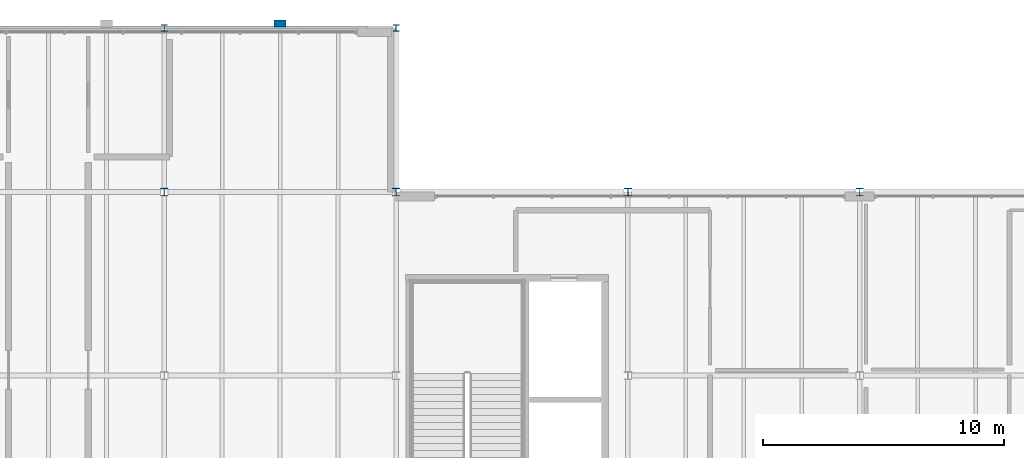
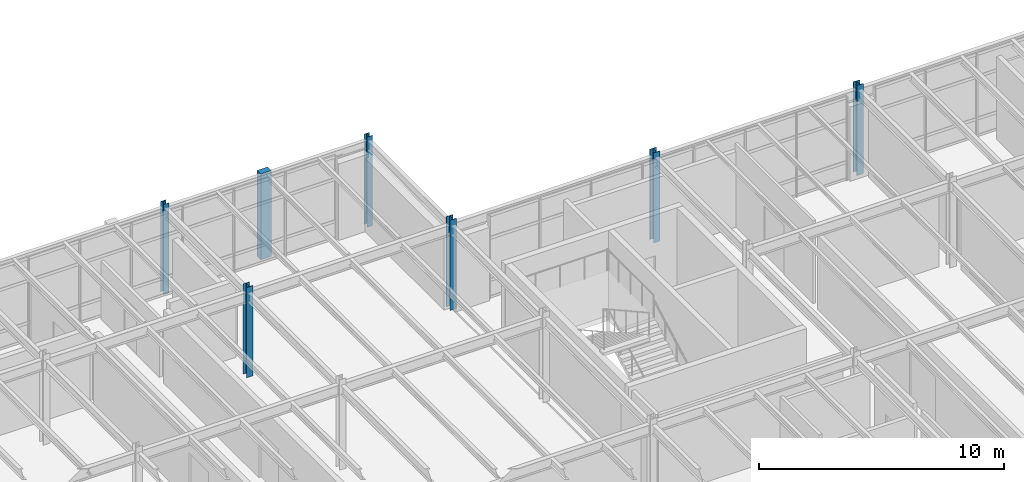
# One storey, part 13 of 69: 7 columns.
"""IFC4 building model written with IfcOpenShell, lengths in metres."""

from ifc_helpers import new_model, si_unit, direction, frame, origin, origin_2d, place, context, subcontext, project, spatial, rectangle, i_section, extrude, material, material_profile, profile_set, type_object, element, save


model = new_model("IFC4")

# Units and contexts
model_context = context("Model", 3, precision=1e-05, world=origin(), true_north=direction((0.0, 1.0)))
body_context = subcontext(model_context, "Body", "Model", "MODEL_VIEW")
ifc_project = project(units=[si_unit("LENGTHUNIT", "METRE"), si_unit("AREAUNIT", "SQUARE_METRE"), si_unit("VOLUMEUNIT", "CUBIC_METRE"), si_unit("PLANEANGLEUNIT", "RADIAN"), si_unit("MASSUNIT", "GRAM", prefix="KILO")], contexts=[model_context])

# Site, building, storey
site_placement = place(None, origin())
site = spatial("IfcSite", under=ifc_project, at=site_placement, CompositionType="ELEMENT")
building_placement = place(site_placement, origin())
building = spatial("IfcBuilding", under=site, at=building_placement, Name="Sarnbrook Museum", CompositionType="ELEMENT")
storey_placement = place(building_placement, frame((0.0, 0.0, 14.60009765625)))
storey = spatial("IfcBuildingStorey", under=building, at=storey_placement, Name="L03", CompositionType="ELEMENT", Elevation=14.60009765625)

# Columns
ifc_material_1 = material(Name="Structural Steel Grade 300PLUS (AS/NZS 3679.1, fy = 280 MPa for 17 < t <= 40 mm, 300 MPa for t <= 17 mm)", Category="steel")
ifc_material_profile_1 = material_profile(ifc_material_1, i_section(OverallWidth=0.25390625, OverallDepth=0.25390625, WebThickness=0.008544921875, FlangeThickness=0.01416015625, FilletRadius=0.0126953125, at=origin_2d()), Name="250UC72.9")
ifc_profile_set_1 = profile_set([ifc_material_profile_1], Name="Structural Steel Grade 300PLUS (AS/NZS 3679.1, fy = 280 MPa for 17 < t <= 40 mm, 300 MPa for t <= 17 mm)")
column_type_1 = type_object("IfcColumnType", Name="COL-UC250", PredefinedType="COLUMN", material=ifc_profile_set_1)
for number, where, z_axis, x_axis, name in (
    (1, (71.199951171875, 115.199951171875, 0.0), (0.0, 0.0, 1.0), (1.0, 0.0, 0.0), "Column 8-P L03"),
    (2, (80.800048828125, 115.199951171875, 0.0), (0.0, 0.0, 1.0), (1.0, 0.0, 0.0), "Column 9-P L03"),
):
    element("IfcColumn", number, at=place(storey_placement, frame(where, z_axis=z_axis, x_axis=x_axis)), inside=storey, type_object=column_type_1, Name=name, PredefinedType="COLUMN", context=body_context, shape_type="SweptSolid", body=[
        extrude(i_section(OverallWidth=0.25390625, OverallDepth=0.25390625, WebThickness=0.008544921875, FlangeThickness=0.01416015625, FilletRadius=0.0126953125, at=origin_2d()), origin(), (0.0, 0.0, 1.0), 4.5),
    ])
ifc_material_profile_2 = material_profile(ifc_material_1, i_section(OverallWidth=0.306884765625, OverallDepth=0.31494140625, WebThickness=0.011962890625, FlangeThickness=0.018798828125, FilletRadius=0.0166015625, at=origin_2d()), Name="310UC118")
ifc_profile_set_2 = profile_set([ifc_material_profile_2], Name="Structural Steel Grade 300PLUS (AS/NZS 3679.1, fy = 280 MPa for 17 < t <= 40 mm, 300 MPa for t <= 17 mm)")
column_type_2 = type_object("IfcColumnType", Name="COL-UC310", PredefinedType="COLUMN", material=ifc_profile_set_2)
for number, where, z_axis, x_axis, name in (
    (3, (90.39990234375, 108.39990234375, 0.0), (0.0, 0.0, 1.0), (1.0, 0.0, 0.0), "Column 10-N L03"),
    (4, (100.0, 108.39990234375, 0.0), (0.0, 0.0, 1.0), (1.0, 0.0, 0.0), "Column 11-N L03"),
    (5, (71.199951171875, 108.39990234375, 0.0), (0.0, 0.0, 1.0), (1.0, 0.0, 0.0), "Column 8-N L03"),
    (6, (80.800048828125, 108.39990234375, 0.0), (0.0, 0.0, 1.0), (1.0, 0.0, 0.0), "Column 9-N L03"),
):
    element("IfcColumn", number, at=place(storey_placement, frame(where, z_axis=z_axis, x_axis=x_axis)), inside=storey, type_object=column_type_2, Name=name, PredefinedType="COLUMN", context=body_context, shape_type="SweptSolid", body=[
        extrude(i_section(OverallWidth=0.306884765625, OverallDepth=0.31494140625, WebThickness=0.011962890625, FlangeThickness=0.018798828125, FilletRadius=0.0166015625, at=origin_2d()), origin(), (0.0, 0.0, 1.0), 4.5),
    ])
ifc_material_2 = material(Name="Concrete N40 (AS 3600, f'c = 40 MPa)", Category="concrete")
ifc_material_profile_3 = material_profile(ifc_material_2, rectangle(XDim=0.5, YDim=0.300048828125, at=origin_2d()), Name="PILASTER 500x300")
ifc_profile_set_3 = profile_set([ifc_material_profile_3], Name="Concrete N40 (AS 3600, f'c = 40 MPa)")
column_type_3 = type_object("IfcColumnType", Name="PIL-500x300", PredefinedType="PILASTER", material=ifc_profile_set_3)
column_placement = place(storey_placement, frame((76.0, 115.3798828125, 0.0), z_axis=(0.0, 0.0, 1.0), x_axis=(1.0, 0.0, 0.0)))
element("IfcColumn", 7, at=column_placement, inside=storey, type_object=column_type_3, Name="Sandstone Classical Pilaster P-N3 L03", PredefinedType="PILASTER", context=body_context, shape_type="SweptSolid", body=[
    extrude(rectangle(XDim=0.5, YDim=0.300048828125, at=origin_2d()), origin(), (0.0, 0.0, 1.0), 4.289794921875),
])

save(model, "model.ifc")
